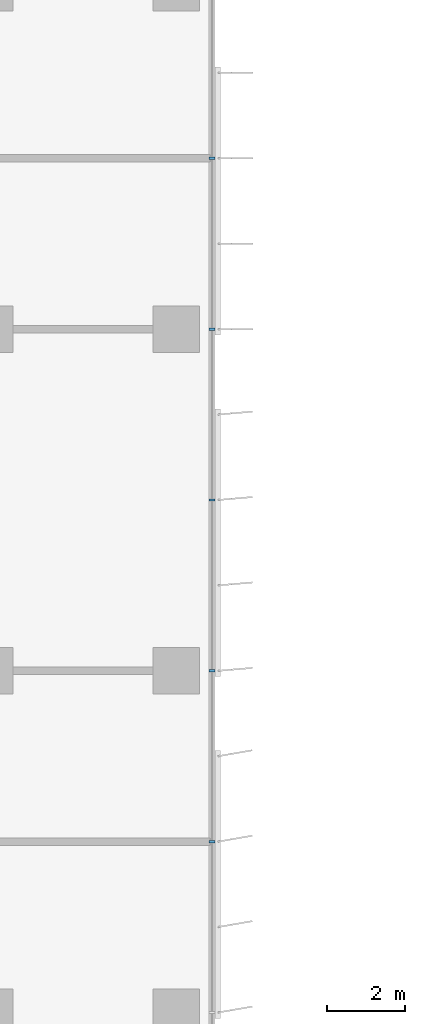
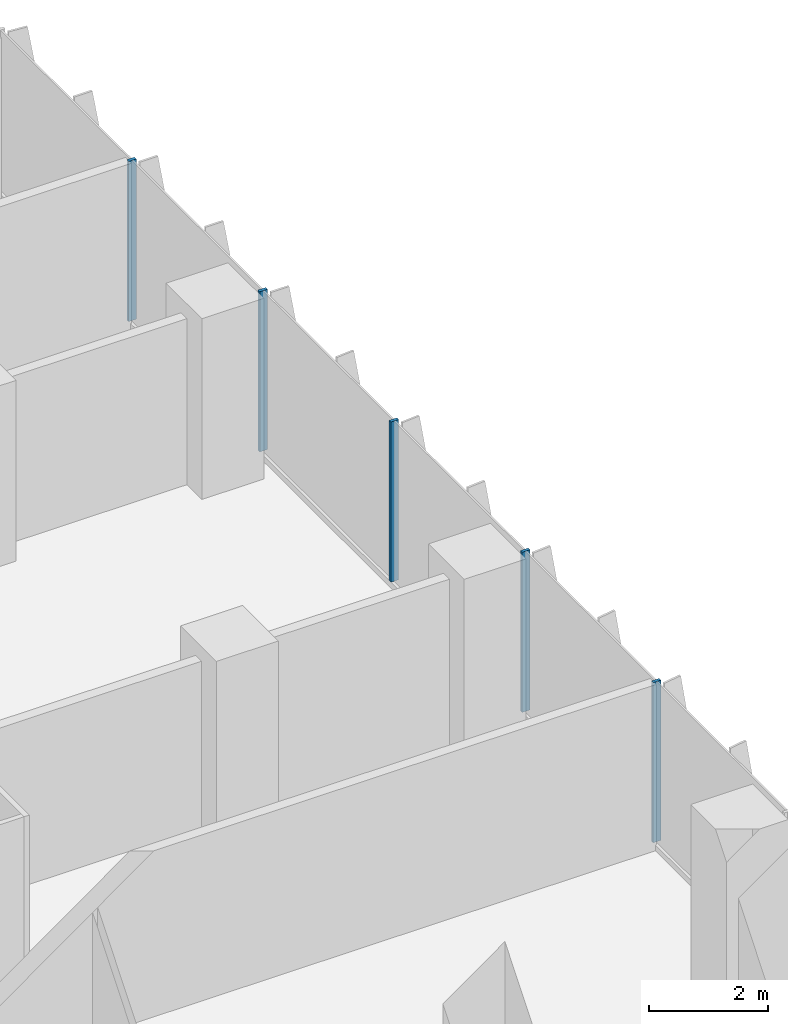
# One storey, part 5 of 23: 5 members, 1 element without a shape of its own.
"""IFC4 building model written with IfcOpenShell, lengths in metres."""

from ifc_helpers import new_model, si_unit, direction, frame, origin, origin_2d, place, context, subcontext, project, spatial, rectangle, extrude, source, transform, mapped, material, material_profile, profile_set, type_object, element, aggregate, save


model = new_model("IFC4")

# Units and contexts
model_context = context("Model", 3, precision=1e-05, world=origin(), true_north=direction((0.0, 1.0)))
body_context = subcontext(model_context, "Body", "Model", "MODEL_VIEW")
ifc_project = project(units=[si_unit("LENGTHUNIT", "METRE"), si_unit("AREAUNIT", "SQUARE_METRE"), si_unit("VOLUMEUNIT", "CUBIC_METRE"), si_unit("PLANEANGLEUNIT", "RADIAN"), si_unit("MASSUNIT", "GRAM", prefix="KILO")], contexts=[model_context])

# Site, building, storey
site_placement = place(None, origin())
site = spatial("IfcSite", under=ifc_project, at=site_placement, CompositionType="ELEMENT")
building_placement = place(site_placement, origin())
building = spatial("IfcBuilding", under=site, at=building_placement, Name="Kemantara Hotel Tower", CompositionType="ELEMENT")
storey_placement = place(building_placement, frame((0.0, 0.0, 114.800048828125)))
storey = spatial("IfcBuildingStorey", under=building, at=storey_placement, Name="L27", CompositionType="ELEMENT", Elevation=114.800048828125)

# Curtain wall, members
ifc_material_1 = material(Name="Low-E tinted double insulated glass 36 mm", Category="glass")
curtain_wall_type = type_object("IfcCurtainWallType", Name="TOWER CURTAIN WALL, FRONT FACES", PredefinedType="USERDEFINED", material=ifc_material_1)
curtain_wall_placement = place(storey_placement, origin())
curtain_wall = element("IfcCurtainWall", 1, at=curtain_wall_placement, inside=storey, type_object=curtain_wall_type, Name="CW4 L27 T2-R14-1", ObjectType="TOWER CURTAIN WALL, FRONT FACES", PredefinedType="USERDEFINED")
ifc_material_2 = material(Name="Aluminium 6063-T6 bronze anodised", Category="aluminium")
ifc_material_profile = material_profile(ifc_material_2, rectangle(XDim=0.14990234375, YDim=0.06005859375, at=origin_2d()), Name="TOWER CURTAIN WALL, FRONT FACES MULLION")
ifc_profile_set = profile_set([ifc_material_profile], Name="Aluminium 6063-T6 bronze anodised")
member_type = type_object("IfcMemberType", Name="TOWER CURTAIN WALL, FRONT FACES MULLION", PredefinedType="MULLION", material=ifc_profile_set)
shared_shape = source(origin(), body_context, "Body", "SweptSolid", [
    extrude(rectangle(XDim=0.14990234375, YDim=0.06005859375, at=origin_2d()), origin(), (0.0, 0.0, 1.0), 3.280029296875),
])
member_1_placement = place(storey_placement, frame((26.72509765625, 31.800048828125, 0.119873046875), z_axis=(0.0, 0.0, 1.0), x_axis=(-1.0, 0.0, 0.0)))
member_1 = element("IfcMember", 2, at=member_1_placement, type_object=member_type, Name="CW4 mullion T2-R14-1.4", PredefinedType="MULLION", context=body_context, shape_type="MappedRepresentation", body=[
    mapped(shared_shape, transform((0.0, 0.0, 0.0))),
])
member_2_placement = place(storey_placement, frame((26.72509765625, 36.199951171875, 0.119873046875), z_axis=(0.0, 0.0, 1.0), x_axis=(-1.0, 0.0, 0.0)))
member_2 = element("IfcMember", 3, at=member_2_placement, type_object=member_type, Name="CW4 mullion T2-R14-1.5", PredefinedType="MULLION", context=body_context, shape_type="MappedRepresentation", body=[
    mapped(shared_shape, transform((0.0, 0.0, 0.0))),
])
member_3_placement = place(storey_placement, frame((26.72509765625, 40.60009765625, 0.119873046875), z_axis=(0.0, 0.0, 1.0), x_axis=(-1.0, 0.0, 0.0)))
member_3 = element("IfcMember", 4, at=member_3_placement, type_object=member_type, Name="CW4 mullion T2-R14-1.6", PredefinedType="MULLION", context=body_context, shape_type="MappedRepresentation", body=[
    mapped(shared_shape, transform((0.0, 0.0, 0.0))),
])
member_4_placement = place(storey_placement, frame((26.72509765625, 45.0, 0.119873046875), z_axis=(0.0, 0.0, 1.0), x_axis=(-1.0, 0.0, 0.0)))
member_4 = element("IfcMember", 5, at=member_4_placement, type_object=member_type, Name="CW4 mullion T2-R14-1.7", PredefinedType="MULLION", context=body_context, shape_type="MappedRepresentation", body=[
    mapped(shared_shape, transform((0.0, 0.0, 0.0))),
])
member_5_placement = place(storey_placement, frame((26.72509765625, 49.39990234375, 0.119873046875), z_axis=(0.0, 0.0, 1.0), x_axis=(-1.0, 0.0, 0.0)))
member_5 = element("IfcMember", 6, at=member_5_placement, type_object=member_type, Name="CW4 mullion T2-R14-1.8", PredefinedType="MULLION", context=body_context, shape_type="MappedRepresentation", body=[
    mapped(shared_shape, transform((0.0, 0.0, 0.0))),
])
aggregate(curtain_wall, [member_1, member_2, member_3, member_4, member_5])

save(model, "model.ifc")
